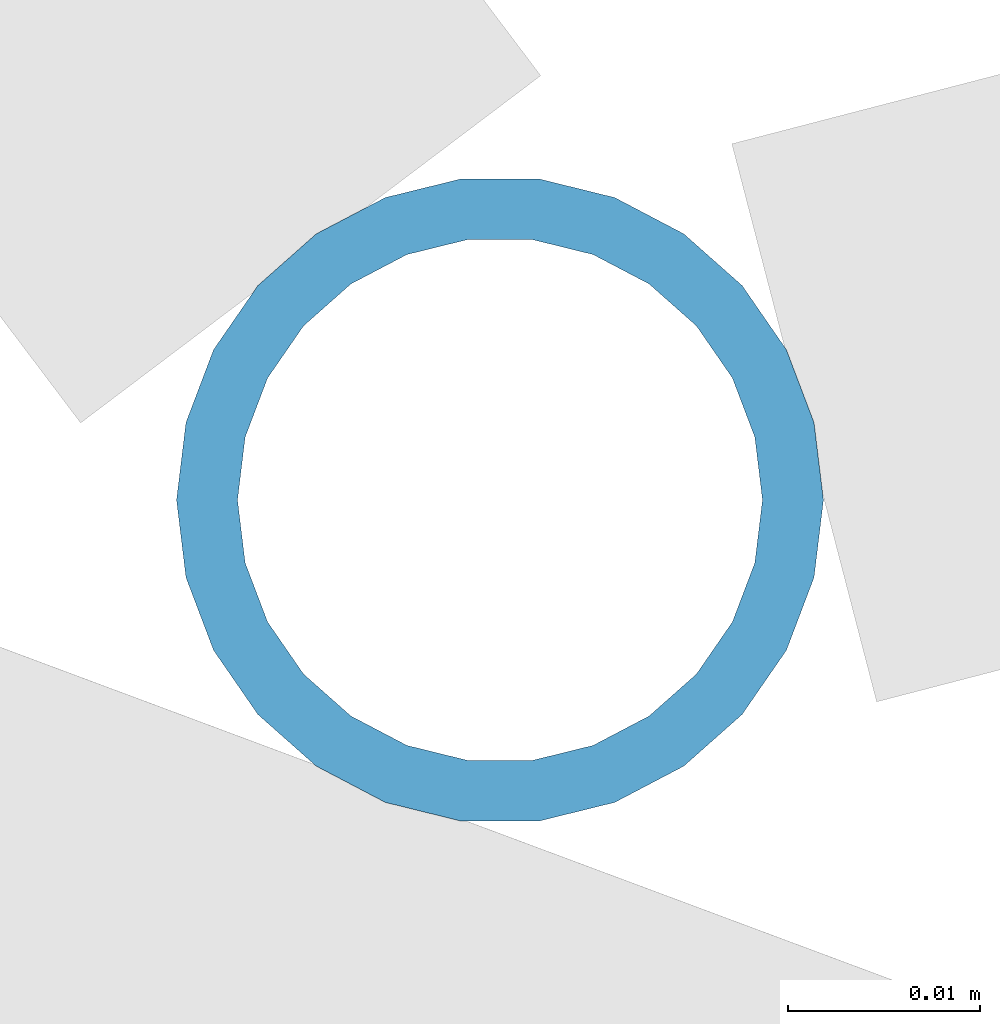
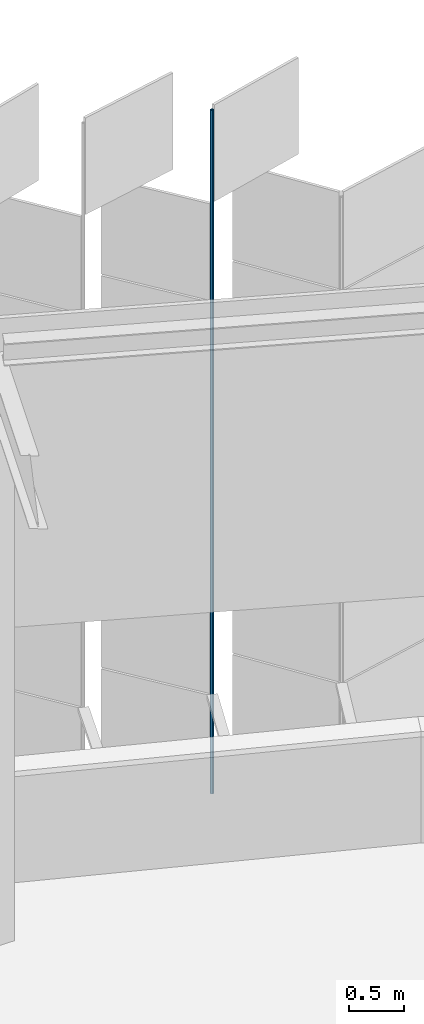
# One storey, part 396 of 483: 1 discrete accessory.
"""IFC4 building model written with IfcOpenShell, lengths in metres."""

from ifc_helpers import new_model, si_unit, direction, frame, origin, origin_2d, place, context, subcontext, project, spatial, hollow_circle, extrude, material, material_profile, profile_set, type_object, element, save


model = new_model("IFC4")

# Units and contexts
model_context = context("Model", 3, precision=1e-05, world=origin(), true_north=direction((0.0, 1.0)))
body_context = subcontext(model_context, "Body", "Model", "MODEL_VIEW")
ifc_project = project(units=[si_unit("LENGTHUNIT", "METRE"), si_unit("AREAUNIT", "SQUARE_METRE"), si_unit("VOLUMEUNIT", "CUBIC_METRE"), si_unit("PLANEANGLEUNIT", "RADIAN"), si_unit("MASSUNIT", "GRAM", prefix="KILO")], contexts=[model_context])

# Site, building, storey
site_placement = place(None, origin())
site = spatial("IfcSite", under=ifc_project, at=site_placement, CompositionType="ELEMENT")
building_placement = place(site_placement, origin())
building = spatial("IfcBuilding", under=site, at=building_placement, Name="Parallax Yard Mobility Hub", CompositionType="ELEMENT")
storey_placement = place(building_placement, frame((0.0, 0.0, 13.199951171875)))
storey = spatial("IfcBuildingStorey", under=building, at=storey_placement, Name="L04", CompositionType="ELEMENT", Elevation=13.199951171875)

# Discrete accessory
ifc_material = material(Name="Steel ASTM A500 Gr C, hot-dip galvanised", Category="steel")
ifc_material_profile = material_profile(ifc_material, hollow_circle(Radius=0.016845703125, WallThickness=0.003173828125, at=origin_2d()), Name="CHS 33.7x3.2")
ifc_profile_set = profile_set([ifc_material_profile], Name="Steel ASTM A500 Gr C, hot-dip galvanised")
discrete_accessory_type = type_object("IfcDiscreteAccessoryType", Name="Hinge post CHS 33.7x3.2", PredefinedType="BRACKET", material=ifc_profile_set)
discrete_accessory_placement = place(storey_placement, frame((191.233642578125, 139.919189453125, 0.0), z_axis=(0.0, 0.0, 1.0), x_axis=(1.0, 0.0, 0.0)))
element("IfcDiscreteAccessory", 1, at=discrete_accessory_placement, inside=storey, type_object=discrete_accessory_type, Name="Hinge post bay 48.6 level L04", PredefinedType="BRACKET", context=body_context, shape_type="SweptSolid", body=[
    extrude(hollow_circle(Radius=0.016845703125, WallThickness=0.003173828125, at=origin_2d()), origin(), (0.0, 0.0, 1.0), 7.650146484375),
])

save(model, "model.ifc")
